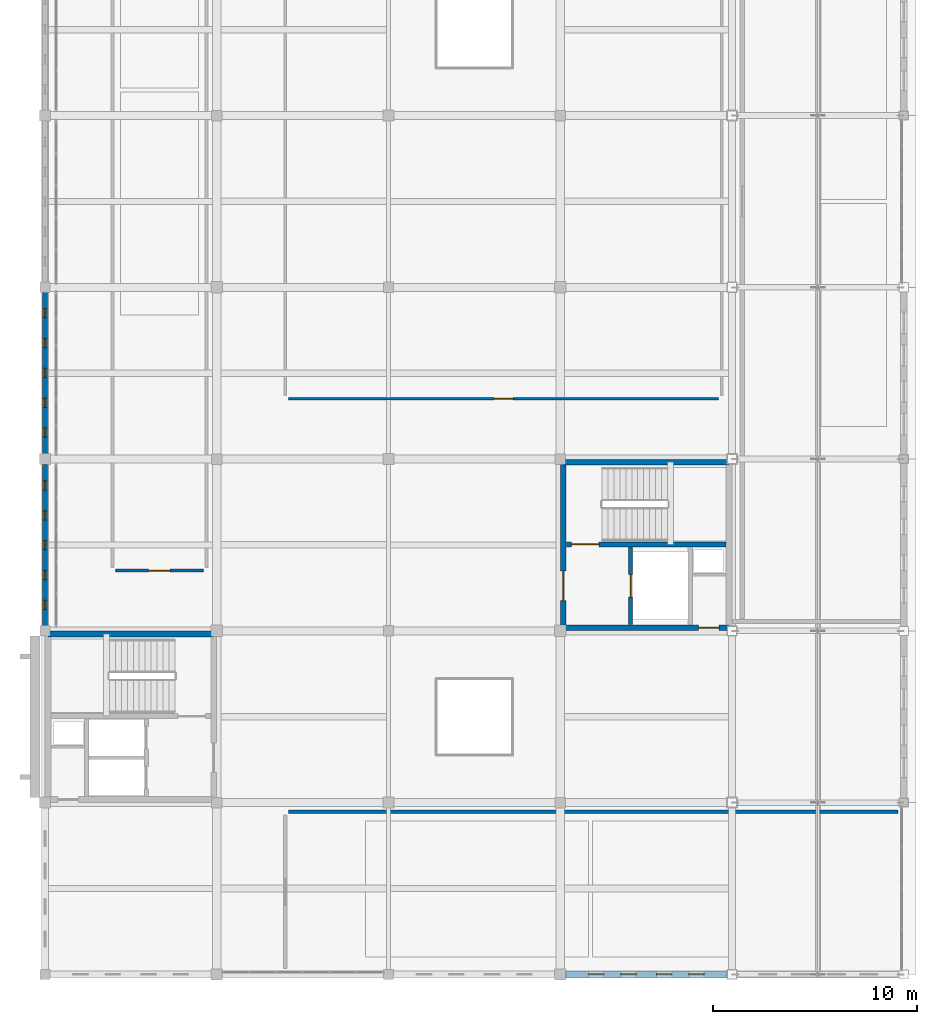
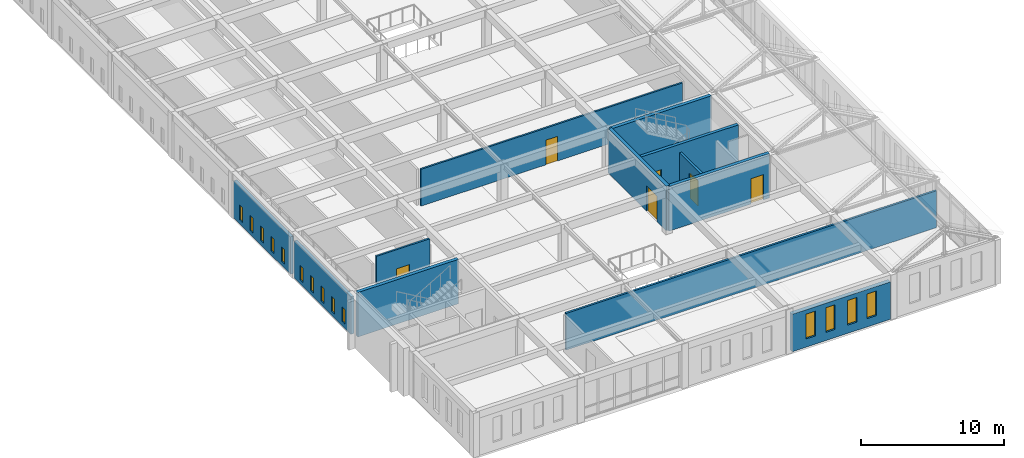
# One storey, part 28 of 36: 14 windows, 12 walls, 6 doors, 20 openings.
"""IFC4 building model written with IfcOpenShell, lengths in metres."""

from ifc_helpers import new_model, si_unit, direction, frame, frame_2d, origin, place, context, subcontext, project, spatial, rectangle, extrude, material, layer, layer_set, type_object, element, fill, save


model = new_model("IFC4")

# Units and contexts
model_context = context("Model", 3, precision=1e-05, world=origin(), true_north=direction((0.0, 1.0)))
body_context = subcontext(model_context, "Body", "Model", "MODEL_VIEW")
ifc_project = project(units=[si_unit("LENGTHUNIT", "METRE"), si_unit("AREAUNIT", "SQUARE_METRE"), si_unit("VOLUMEUNIT", "CUBIC_METRE"), si_unit("PLANEANGLEUNIT", "RADIAN"), si_unit("MASSUNIT", "GRAM", prefix="KILO")], contexts=[model_context])

# Site, building, storey
site_placement = place(None, origin())
site = spatial("IfcSite", under=ifc_project, at=site_placement, CompositionType="ELEMENT")
building_placement = place(site_placement, origin())
building = spatial("IfcBuilding", under=site, at=building_placement, Name="Kveldsbrygga Polytechnic", CompositionType="ELEMENT")
storey_placement = place(building_placement, frame((0.0, 0.0, 22.10009765625)))
storey = spatial("IfcBuildingStorey", under=building, at=storey_placement, Name="L05", CompositionType="ELEMENT", Elevation=22.10009765625)

# Wall, openings, windows
ifc_material_1 = material(Name="Fired clay brick masonry M10", Category="masonry")
ifc_layer_1 = layer(ifc_material_1, 0.340087890625)
ifc_layer_set_1 = layer_set([ifc_layer_1], Name="Fired clay brick masonry M10")
wall_type_1 = type_object("IfcWallType", Name="EW-BRICK-340", PredefinedType="SOLIDWALL", material=ifc_layer_set_1)
wall_1_placement = place(storey_placement, frame((151.4599609375, 16.800048828125, 0.0), z_axis=(0.0, 0.0, 1.0), x_axis=(1.0, 0.0, 0.0)))
wall_1 = element("IfcWall", 1, at=wall_1_placement, inside=storey, type_object=wall_type_1, Name="Exterior Brick Wall EW-L05-X-18-02", PredefinedType="SOLIDWALL", context=body_context, shape_type="SweptSolid", body=[
    extrude(rectangle(XDim=7.905029296875, YDim=0.340087890625, at=frame_2d((3.95263671875, 0.0))), origin(), (0.0, 0.0, 1.0), 3.179931640625),
])
opening_1_placement = place(wall_1_placement, frame((1.126953125, 0.0, 0.699951171875)))
opening_1 = element("IfcOpeningElement", 2, at=opening_1_placement, cuts=wall_1, Name="Opening W-27", PredefinedType="OPENING", context=body_context, shape_type="SweptSolid", body=[
    extrude(rectangle(XDim=0.75, YDim=2.10009765625, at=frame_2d((0.375, 1.050048828125))), frame((0.0, 0.18017578125, 0.0), z_axis=(0.0, -1.0, 0.0), x_axis=(1.0, 0.0, 0.0)), (0.0, 0.0, 1.0), 0.360107421875),
])
opening_2_placement = place(wall_1_placement, frame((2.7080078125, 0.0, 0.699951171875)))
opening_2 = element("IfcOpeningElement", 3, at=opening_2_placement, cuts=wall_1, Name="Opening W-27", PredefinedType="OPENING", context=body_context, shape_type="SweptSolid", body=[
    extrude(rectangle(XDim=0.75, YDim=2.10009765625, at=frame_2d((0.375, 1.050048828125))), frame((0.0, 0.18017578125, 0.0), z_axis=(0.0, -1.0, 0.0), x_axis=(1.0, 0.0, 0.0)), (0.0, 0.0, 1.0), 0.360107421875),
])
opening_3_placement = place(wall_1_placement, frame((4.447021484375, 0.0, 0.699951171875)))
opening_3 = element("IfcOpeningElement", 4, at=opening_3_placement, cuts=wall_1, Name="Opening W-27", PredefinedType="OPENING", context=body_context, shape_type="SweptSolid", body=[
    extrude(rectangle(XDim=0.75, YDim=2.10009765625, at=frame_2d((0.375, 1.050048828125))), frame((0.0, 0.18017578125, 0.0), z_axis=(0.0, -1.0, 0.0), x_axis=(1.0, 0.0, 0.0)), (0.0, 0.0, 1.0), 0.360107421875),
])
opening_4_placement = place(wall_1_placement, frame((6.028076171875, 0.0, 0.699951171875)))
opening_4 = element("IfcOpeningElement", 5, at=opening_4_placement, cuts=wall_1, Name="Opening W-27", PredefinedType="OPENING", context=body_context, shape_type="SweptSolid", body=[
    extrude(rectangle(XDim=0.75, YDim=2.10009765625, at=frame_2d((0.375, 1.050048828125))), frame((0.0, 0.18017578125, 0.0), z_axis=(0.0, -1.0, 0.0), x_axis=(1.0, 0.0, 0.0)), (0.0, 0.0, 1.0), 0.360107421875),
])
ifc_material_2 = material(Name="Insulated triple low-E glass", Category="glass")
window_type_1 = type_object("IfcWindowType", Name="WN-ATTIC-075x210", PartitioningType="DOUBLE_PANEL_VERTICAL", PredefinedType="WINDOW", material=ifc_material_2)
window_1_placement = place(opening_1_placement, origin())
window_1 = element("IfcWindow", 6, at=window_1_placement, inside=storey, type_object=window_type_1, Name="Gothic Lancet Window WIN-L05-X-18-02-1", OverallHeight=2.10009765625, OverallWidth=0.75, PartitioningType="DOUBLE_PANEL_VERTICAL", PredefinedType="WINDOW", context=body_context, shape_type="SweptSolid", body=[
    extrude(rectangle(XDim=0.75, YDim=2.10009765625, at=frame_2d((0.375, 1.050048828125))), frame((0.0, 0.030029296875, 0.0), z_axis=(0.0, -1.0, 0.0), x_axis=(1.0, 0.0, 0.0)), (0.0, 0.0, 1.0), 0.06005859375),
])
fill(opening_1, window_1)
window_2_placement = place(opening_2_placement, origin())
window_2 = element("IfcWindow", 7, at=window_2_placement, inside=storey, type_object=window_type_1, Name="Gothic Lancet Window WIN-L05-X-18-02-2", OverallHeight=2.10009765625, OverallWidth=0.75, PartitioningType="DOUBLE_PANEL_VERTICAL", PredefinedType="WINDOW", context=body_context, shape_type="SweptSolid", body=[
    extrude(rectangle(XDim=0.75, YDim=2.10009765625, at=frame_2d((0.375, 1.050048828125))), frame((0.0, 0.030029296875, 0.0), z_axis=(0.0, -1.0, 0.0), x_axis=(1.0, 0.0, 0.0)), (0.0, 0.0, 1.0), 0.06005859375),
])
fill(opening_2, window_2)
window_3_placement = place(opening_3_placement, origin())
window_3 = element("IfcWindow", 8, at=window_3_placement, inside=storey, type_object=window_type_1, Name="Gothic Lancet Window WIN-L05-X-18-02-3", OverallHeight=2.10009765625, OverallWidth=0.75, PartitioningType="DOUBLE_PANEL_VERTICAL", PredefinedType="WINDOW", context=body_context, shape_type="SweptSolid", body=[
    extrude(rectangle(XDim=0.75, YDim=2.10009765625, at=frame_2d((0.375, 1.050048828125))), frame((0.0, 0.030029296875, 0.0), z_axis=(0.0, -1.0, 0.0), x_axis=(1.0, 0.0, 0.0)), (0.0, 0.0, 1.0), 0.06005859375),
])
fill(opening_3, window_3)
window_4_placement = place(opening_4_placement, origin())
window_4 = element("IfcWindow", 9, at=window_4_placement, inside=storey, type_object=window_type_1, Name="Gothic Lancet Window WIN-L05-X-18-02-4", OverallHeight=2.10009765625, OverallWidth=0.75, PartitioningType="DOUBLE_PANEL_VERTICAL", PredefinedType="WINDOW", context=body_context, shape_type="SweptSolid", body=[
    extrude(rectangle(XDim=0.75, YDim=2.10009765625, at=frame_2d((0.375, 1.050048828125))), frame((0.0, 0.030029296875, 0.0), z_axis=(0.0, -1.0, 0.0), x_axis=(1.0, 0.0, 0.0)), (0.0, 0.0, 1.0), 0.06005859375),
])
fill(opening_4, window_4)

ifc_layer_2 = layer(ifc_material_1, 0.239990234375)
ifc_layer_set_2 = layer_set([ifc_layer_2], Name="Fired clay brick masonry M10")
wall_type_2 = type_object("IfcWallType", Name="EW-SCRN-240", PredefinedType="SOLIDWALL", material=ifc_layer_set_2)
wall_2_placement = place(storey_placement, frame((126.0, 33.8349609375, 0.0), z_axis=(0.0, 0.0, 1.0), x_axis=(0.0, 1.0, 0.0)))
wall_2 = element("IfcWall", 10, at=wall_2_placement, inside=storey, type_object=wall_type_2, Name="Perforated Brick Corridor Screen Wall SCRW-L05-Y-15-04", PredefinedType="SOLIDWALL", context=body_context, shape_type="SweptSolid", body=[
    extrude(rectangle(XDim=7.905029296875, YDim=0.239990234375, at=frame_2d((3.95263671875, 0.0))), origin(), (0.0, 0.0, 1.0), 3.179931640625),
])
opening_5_placement = place(wall_2_placement, frame((0.810546875, 0.0, 0.35009765625)))
opening_5 = element("IfcOpeningElement", 11, at=opening_5_placement, cuts=wall_2, Name="Opening W-48", PredefinedType="OPENING", context=body_context, shape_type="SweptSolid", body=[
    extrude(rectangle(XDim=0.43994140625, YDim=1.25, at=frame_2d((0.219970703125, 0.625))), frame((0.0, 0.1298828125, 0.0), z_axis=(0.0, -1.0, 0.0), x_axis=(1.0, 0.0, 0.0)), (0.0, 0.0, 1.0), 0.260009765625),
])
opening_6_placement = place(wall_2_placement, frame((2.271484375, 0.0, 0.35009765625)))
opening_6 = element("IfcOpeningElement", 12, at=opening_6_placement, cuts=wall_2, Name="Opening W-48", PredefinedType="OPENING", context=body_context, shape_type="SweptSolid", body=[
    extrude(rectangle(XDim=0.43994140625, YDim=1.25, at=frame_2d((0.219970703125, 0.625))), frame((0.0, 0.1298828125, 0.0), z_axis=(0.0, -1.0, 0.0), x_axis=(1.0, 0.0, 0.0)), (0.0, 0.0, 1.0), 0.260009765625),
])
opening_7_placement = place(wall_2_placement, frame((3.732421875, 0.0, 0.35009765625)))
opening_7 = element("IfcOpeningElement", 13, at=opening_7_placement, cuts=wall_2, Name="Opening W-48", PredefinedType="OPENING", context=body_context, shape_type="SweptSolid", body=[
    extrude(rectangle(XDim=0.43994140625, YDim=1.25, at=frame_2d((0.219970703125, 0.625))), frame((0.0, 0.1298828125, 0.0), z_axis=(0.0, -1.0, 0.0), x_axis=(1.0, 0.0, 0.0)), (0.0, 0.0, 1.0), 0.260009765625),
])
opening_8_placement = place(wall_2_placement, frame((5.193603515625, 0.0, 0.35009765625)))
opening_8 = element("IfcOpeningElement", 14, at=opening_8_placement, cuts=wall_2, Name="Opening W-48", PredefinedType="OPENING", context=body_context, shape_type="SweptSolid", body=[
    extrude(rectangle(XDim=0.43994140625, YDim=1.25, at=frame_2d((0.219970703125, 0.625))), frame((0.0, 0.1298828125, 0.0), z_axis=(0.0, -1.0, 0.0), x_axis=(1.0, 0.0, 0.0)), (0.0, 0.0, 1.0), 0.260009765625),
])
opening_9_placement = place(wall_2_placement, frame((6.654541015625, 0.0, 0.35009765625)))
opening_9 = element("IfcOpeningElement", 15, at=opening_9_placement, cuts=wall_2, Name="Opening W-48", PredefinedType="OPENING", context=body_context, shape_type="SweptSolid", body=[
    extrude(rectangle(XDim=0.43994140625, YDim=1.25, at=frame_2d((0.219970703125, 0.625))), frame((0.0, 0.1298828125, 0.0), z_axis=(0.0, -1.0, 0.0), x_axis=(1.0, 0.0, 0.0)), (0.0, 0.0, 1.0), 0.260009765625),
])
window_type_2 = type_object("IfcWindowType", Name="WN-SCRN-044x125", PartitioningType="SINGLE_PANEL", PredefinedType="WINDOW", material=ifc_material_2)
window_5_placement = place(opening_5_placement, origin())
window_5 = element("IfcWindow", 16, at=window_5_placement, inside=storey, type_object=window_type_2, Name="Perforated Screen Aperture L05-Y-15-04-1", OverallHeight=1.25, OverallWidth=0.43994140625, PartitioningType="SINGLE_PANEL", PredefinedType="WINDOW", context=body_context, shape_type="SweptSolid", body=[
    extrude(rectangle(XDim=0.43994140625, YDim=1.25, at=frame_2d((0.219970703125, 0.625))), frame((0.0, 0.030029296875, 0.0), z_axis=(0.0, -1.0, 0.0), x_axis=(1.0, 0.0, 0.0)), (0.0, 0.0, 1.0), 0.06005859375),
])
fill(opening_5, window_5)
window_6_placement = place(opening_6_placement, origin())
window_6 = element("IfcWindow", 17, at=window_6_placement, inside=storey, type_object=window_type_2, Name="Perforated Screen Aperture L05-Y-15-04-2", OverallHeight=1.25, OverallWidth=0.43994140625, PartitioningType="SINGLE_PANEL", PredefinedType="WINDOW", context=body_context, shape_type="SweptSolid", body=[
    extrude(rectangle(XDim=0.43994140625, YDim=1.25, at=frame_2d((0.219970703125, 0.625))), frame((0.0, 0.030029296875, 0.0), z_axis=(0.0, -1.0, 0.0), x_axis=(1.0, 0.0, 0.0)), (0.0, 0.0, 1.0), 0.06005859375),
])
fill(opening_6, window_6)
window_7_placement = place(opening_7_placement, origin())
window_7 = element("IfcWindow", 18, at=window_7_placement, inside=storey, type_object=window_type_2, Name="Perforated Screen Aperture L05-Y-15-04-3", OverallHeight=1.25, OverallWidth=0.43994140625, PartitioningType="SINGLE_PANEL", PredefinedType="WINDOW", context=body_context, shape_type="SweptSolid", body=[
    extrude(rectangle(XDim=0.43994140625, YDim=1.25, at=frame_2d((0.219970703125, 0.625))), frame((0.0, 0.030029296875, 0.0), z_axis=(0.0, -1.0, 0.0), x_axis=(1.0, 0.0, 0.0)), (0.0, 0.0, 1.0), 0.06005859375),
])
fill(opening_7, window_7)
window_8_placement = place(opening_8_placement, origin())
window_8 = element("IfcWindow", 19, at=window_8_placement, inside=storey, type_object=window_type_2, Name="Perforated Screen Aperture L05-Y-15-04-4", OverallHeight=1.25, OverallWidth=0.43994140625, PartitioningType="SINGLE_PANEL", PredefinedType="WINDOW", context=body_context, shape_type="SweptSolid", body=[
    extrude(rectangle(XDim=0.43994140625, YDim=1.25, at=frame_2d((0.219970703125, 0.625))), frame((0.0, 0.030029296875, 0.0), z_axis=(0.0, -1.0, 0.0), x_axis=(1.0, 0.0, 0.0)), (0.0, 0.0, 1.0), 0.06005859375),
])
fill(opening_8, window_8)
window_9_placement = place(opening_9_placement, origin())
window_9 = element("IfcWindow", 20, at=window_9_placement, inside=storey, type_object=window_type_2, Name="Perforated Screen Aperture L05-Y-15-04-5", OverallHeight=1.25, OverallWidth=0.43994140625, PartitioningType="SINGLE_PANEL", PredefinedType="WINDOW", context=body_context, shape_type="SweptSolid", body=[
    extrude(rectangle(XDim=0.43994140625, YDim=1.25, at=frame_2d((0.219970703125, 0.625))), frame((0.0, 0.030029296875, 0.0), z_axis=(0.0, -1.0, 0.0), x_axis=(1.0, 0.0, 0.0)), (0.0, 0.0, 1.0), 0.06005859375),
])
fill(opening_9, window_9)

wall_3_placement = place(storey_placement, frame((126.0, 42.260009765625, 0.0), z_axis=(0.0, 0.0, 1.0), x_axis=(0.0, 1.0, 0.0)))
wall_3 = element("IfcWall", 21, at=wall_3_placement, inside=storey, type_object=wall_type_2, Name="Perforated Brick Corridor Screen Wall SCRW-L05-Y-15-05", PredefinedType="SOLIDWALL", context=body_context, shape_type="SweptSolid", body=[
    extrude(rectangle(XDim=7.905029296875, YDim=0.239990234375, at=frame_2d((3.95263671875, 0.0))), origin(), (0.0, 0.0, 1.0), 3.179931640625),
])
opening_10_placement = place(wall_3_placement, frame((0.810546875, 0.0, 0.35009765625)))
opening_10 = element("IfcOpeningElement", 22, at=opening_10_placement, cuts=wall_3, Name="Opening W-48", PredefinedType="OPENING", context=body_context, shape_type="SweptSolid", body=[
    extrude(rectangle(XDim=0.43994140625, YDim=1.25, at=frame_2d((0.219970703125, 0.625))), frame((0.0, 0.1298828125, 0.0), z_axis=(0.0, -1.0, 0.0), x_axis=(1.0, 0.0, 0.0)), (0.0, 0.0, 1.0), 0.260009765625),
])
opening_11_placement = place(wall_3_placement, frame((2.271484375, 0.0, 0.35009765625)))
opening_11 = element("IfcOpeningElement", 23, at=opening_11_placement, cuts=wall_3, Name="Opening W-48", PredefinedType="OPENING", context=body_context, shape_type="SweptSolid", body=[
    extrude(rectangle(XDim=0.43994140625, YDim=1.25, at=frame_2d((0.219970703125, 0.625))), frame((0.0, 0.1298828125, 0.0), z_axis=(0.0, -1.0, 0.0), x_axis=(1.0, 0.0, 0.0)), (0.0, 0.0, 1.0), 0.260009765625),
])
opening_12_placement = place(wall_3_placement, frame((3.732421875, 0.0, 0.35009765625)))
opening_12 = element("IfcOpeningElement", 24, at=opening_12_placement, cuts=wall_3, Name="Opening W-48", PredefinedType="OPENING", context=body_context, shape_type="SweptSolid", body=[
    extrude(rectangle(XDim=0.43994140625, YDim=1.25, at=frame_2d((0.219970703125, 0.625))), frame((0.0, 0.1298828125, 0.0), z_axis=(0.0, -1.0, 0.0), x_axis=(1.0, 0.0, 0.0)), (0.0, 0.0, 1.0), 0.260009765625),
])
opening_13_placement = place(wall_3_placement, frame((5.193603515625, 0.0, 0.35009765625)))
opening_13 = element("IfcOpeningElement", 25, at=opening_13_placement, cuts=wall_3, Name="Opening W-48", PredefinedType="OPENING", context=body_context, shape_type="SweptSolid", body=[
    extrude(rectangle(XDim=0.43994140625, YDim=1.25, at=frame_2d((0.219970703125, 0.625))), frame((0.0, 0.1298828125, 0.0), z_axis=(0.0, -1.0, 0.0), x_axis=(1.0, 0.0, 0.0)), (0.0, 0.0, 1.0), 0.260009765625),
])
opening_14_placement = place(wall_3_placement, frame((6.654541015625, 0.0, 0.35009765625)))
opening_14 = element("IfcOpeningElement", 26, at=opening_14_placement, cuts=wall_3, Name="Opening W-48", PredefinedType="OPENING", context=body_context, shape_type="SweptSolid", body=[
    extrude(rectangle(XDim=0.43994140625, YDim=1.25, at=frame_2d((0.219970703125, 0.625))), frame((0.0, 0.1298828125, 0.0), z_axis=(0.0, -1.0, 0.0), x_axis=(1.0, 0.0, 0.0)), (0.0, 0.0, 1.0), 0.260009765625),
])
window_10_placement = place(opening_10_placement, origin())
window_10 = element("IfcWindow", 27, at=window_10_placement, inside=storey, type_object=window_type_2, Name="Perforated Screen Aperture L05-Y-15-05-1", OverallHeight=1.25, OverallWidth=0.43994140625, PartitioningType="SINGLE_PANEL", PredefinedType="WINDOW", context=body_context, shape_type="SweptSolid", body=[
    extrude(rectangle(XDim=0.43994140625, YDim=1.25, at=frame_2d((0.219970703125, 0.625))), frame((0.0, 0.030029296875, 0.0), z_axis=(0.0, -1.0, 0.0), x_axis=(1.0, 0.0, 0.0)), (0.0, 0.0, 1.0), 0.06005859375),
])
fill(opening_10, window_10)
window_11_placement = place(opening_11_placement, origin())
window_11 = element("IfcWindow", 28, at=window_11_placement, inside=storey, type_object=window_type_2, Name="Perforated Screen Aperture L05-Y-15-05-2", OverallHeight=1.25, OverallWidth=0.43994140625, PartitioningType="SINGLE_PANEL", PredefinedType="WINDOW", context=body_context, shape_type="SweptSolid", body=[
    extrude(rectangle(XDim=0.43994140625, YDim=1.25, at=frame_2d((0.219970703125, 0.625))), frame((0.0, 0.030029296875, 0.0), z_axis=(0.0, -1.0, 0.0), x_axis=(1.0, 0.0, 0.0)), (0.0, 0.0, 1.0), 0.06005859375),
])
fill(opening_11, window_11)
window_12_placement = place(opening_12_placement, origin())
window_12 = element("IfcWindow", 29, at=window_12_placement, inside=storey, type_object=window_type_2, Name="Perforated Screen Aperture L05-Y-15-05-3", OverallHeight=1.25, OverallWidth=0.43994140625, PartitioningType="SINGLE_PANEL", PredefinedType="WINDOW", context=body_context, shape_type="SweptSolid", body=[
    extrude(rectangle(XDim=0.43994140625, YDim=1.25, at=frame_2d((0.219970703125, 0.625))), frame((0.0, 0.030029296875, 0.0), z_axis=(0.0, -1.0, 0.0), x_axis=(1.0, 0.0, 0.0)), (0.0, 0.0, 1.0), 0.06005859375),
])
fill(opening_12, window_12)
window_13_placement = place(opening_13_placement, origin())
window_13 = element("IfcWindow", 30, at=window_13_placement, inside=storey, type_object=window_type_2, Name="Perforated Screen Aperture L05-Y-15-05-4", OverallHeight=1.25, OverallWidth=0.43994140625, PartitioningType="SINGLE_PANEL", PredefinedType="WINDOW", context=body_context, shape_type="SweptSolid", body=[
    extrude(rectangle(XDim=0.43994140625, YDim=1.25, at=frame_2d((0.219970703125, 0.625))), frame((0.0, 0.030029296875, 0.0), z_axis=(0.0, -1.0, 0.0), x_axis=(1.0, 0.0, 0.0)), (0.0, 0.0, 1.0), 0.06005859375),
])
fill(opening_13, window_13)
window_14_placement = place(opening_14_placement, origin())
window_14 = element("IfcWindow", 31, at=window_14_placement, inside=storey, type_object=window_type_2, Name="Perforated Screen Aperture L05-Y-15-05-5", OverallHeight=1.25, OverallWidth=0.43994140625, PartitioningType="SINGLE_PANEL", PredefinedType="WINDOW", context=body_context, shape_type="SweptSolid", body=[
    extrude(rectangle(XDim=0.43994140625, YDim=1.25, at=frame_2d((0.219970703125, 0.625))), frame((0.0, 0.030029296875, 0.0), z_axis=(0.0, -1.0, 0.0), x_axis=(1.0, 0.0, 0.0)), (0.0, 0.0, 1.0), 0.06005859375),
])
fill(opening_14, window_14)

# Wall, opening, door
ifc_material_3 = material(Name="Gypsum acoustic stud partition")
ifc_layer_3 = layer(ifc_material_3, 0.139892578125)
ifc_layer_set_3 = layer_set([ifc_layer_3], Name="Gypsum acoustic stud partition")
wall_type_3 = type_object("IfcWallType", Name="IW-OFF-140", PredefinedType="PARTITIONING", material=ifc_layer_set_3)
wall_4_placement = place(storey_placement, frame((137.89990234375, 44.949951171875, 0.0), z_axis=(0.0, 0.0, 1.0), x_axis=(1.0, 0.0, 0.0)))
wall_4 = element("IfcWall", 32, at=wall_4_placement, inside=storey, type_object=wall_type_3, Name="Partition Wall IW-SP-L05-OFF51-S1", PredefinedType="PARTITIONING", context=body_context, shape_type="SweptSolid", body=[
    extrude(rectangle(XDim=21.050048828125, YDim=0.139892578125, at=frame_2d((10.52490234375, 0.0))), origin(), (0.0, 0.0, 1.0), 3.1298828125),
])
opening_15_placement = place(wall_4_placement, frame((10.050048828125, 0.0, 0.0)))
opening_15 = element("IfcOpeningElement", 33, at=opening_15_placement, cuts=wall_4, Name="Opening ID-L05-096", PredefinedType="OPENING", context=body_context, shape_type="SweptSolid", body=[
    extrude(rectangle(XDim=0.949951171875, YDim=2.10009765625, at=frame_2d((0.47509765625, 1.050048828125))), frame((0.0, 0.080078125, 0.0), z_axis=(0.0, -1.0, 0.0), x_axis=(1.0, 0.0, 0.0)), (0.0, 0.0, 1.0), 0.159912109375),
])
ifc_material_4 = material(Name="Acoustic oak timber", Category="wood")
door_type_1 = type_object("IfcDoorType", Name="ID-OFF-095x210", OperationType="NOTDEFINED", PredefinedType="DOOR", material=ifc_material_4)
door_1_placement = place(opening_15_placement, origin())
door_1 = element("IfcDoor", 34, at=door_1_placement, inside=storey, type_object=door_type_1, Name="Interior Door ID-L05-096", OperationType="SINGLE_SWING_LEFT", OverallHeight=2.10009765625, OverallWidth=0.949951171875, PredefinedType="DOOR", context=body_context, shape_type="SweptSolid", body=[
    extrude(rectangle(XDim=0.949951171875, YDim=2.10009765625, at=frame_2d((0.47509765625, 1.050048828125))), frame((0.0, 0.02490234375, 0.0), z_axis=(0.0, -1.0, 0.0), x_axis=(1.0, 0.0, 0.0)), (0.0, 0.0, 1.0), 0.050048828125),
])
fill(opening_15, door_1)

ifc_layer_4 = layer(ifc_material_3, 0.14990234375)
ifc_layer_set_4 = layer_set([ifc_layer_4], Name="Gypsum acoustic stud partition")
wall_type_4 = type_object("IfcWallType", Name="IW-SEM-150", PredefinedType="PARTITIONING", material=ifc_layer_set_4)
wall_5_placement = place(storey_placement, frame((129.449951171875, 36.550048828125, 0.0), z_axis=(0.0, 0.0, 1.0), x_axis=(1.0, 0.0, 0.0)))
wall_5 = element("IfcWall", 35, at=wall_5_placement, inside=storey, type_object=wall_type_4, Name="Partition Wall IW-SP-L05-SEM51-S1", PredefinedType="PARTITIONING", context=body_context, shape_type="SweptSolid", body=[
    extrude(rectangle(XDim=4.300048828125, YDim=0.14990234375, at=frame_2d((2.14990234375, 0.0))), origin(), (0.0, 0.0, 1.0), 3.77978515625),
])
opening_16_placement = place(wall_5_placement, frame((1.625, 0.0, 0.0)))
opening_16 = element("IfcOpeningElement", 36, at=opening_16_placement, cuts=wall_5, Name="Opening ID-L05-095", PredefinedType="OPENING", context=body_context, shape_type="SweptSolid", body=[
    extrude(rectangle(XDim=1.050048828125, YDim=2.14990234375, at=frame_2d((0.52490234375, 1.074951171875))), frame((0.0, 0.0849609375, 0.0), z_axis=(0.0, -1.0, 0.0), x_axis=(1.0, 0.0, 0.0)), (0.0, 0.0, 1.0), 0.169921875),
])
door_type_2 = type_object("IfcDoorType", Name="ID-SEM-105x215", OperationType="NOTDEFINED", PredefinedType="DOOR", material=ifc_material_4)
door_2_placement = place(opening_16_placement, origin())
door_2 = element("IfcDoor", 37, at=door_2_placement, inside=storey, type_object=door_type_2, Name="Interior Door ID-L05-095", OperationType="SINGLE_SWING_RIGHT", OverallHeight=2.14990234375, OverallWidth=1.050048828125, PredefinedType="DOOR", context=body_context, shape_type="SweptSolid", body=[
    extrude(rectangle(XDim=1.050048828125, YDim=2.14990234375, at=frame_2d((0.52490234375, 1.074951171875))), frame((0.0, 0.02490234375, 0.0), z_axis=(0.0, -1.0, 0.0), x_axis=(1.0, 0.0, 0.0)), (0.0, 0.0, 1.0), 0.050048828125),
])
fill(opening_16, door_2)

# Wall
ifc_layer_5 = layer(ifc_material_3, 0.159912109375)
ifc_layer_set_5 = layer_set([ifc_layer_5], Name="Gypsum acoustic stud partition")
wall_type_5 = type_object("IfcWallType", Name="IW-STD-160", PredefinedType="PARTITIONING", material=ifc_layer_set_5)
wall_6_placement = place(storey_placement, frame((137.89990234375, 24.75, 0.0), z_axis=(0.0, 0.0, 1.0), x_axis=(1.0, 0.0, 0.0)))
element("IfcWall", 38, at=wall_6_placement, inside=storey, type_object=wall_type_5, Name="Partition Wall IW-SP-L05-STD51-N1", PredefinedType="PARTITIONING", context=body_context, shape_type="SweptSolid", body=[
    extrude(rectangle(XDim=29.820068359375, YDim=0.159912109375, at=frame_2d((14.91015625, 0.0))), origin(), (0.0, 0.0, 1.0), 3.1298828125),
])

# Wall, opening, door
ifc_material_5 = material(Name="Concrete C45/55", Category="concrete")
ifc_layer_6 = layer(ifc_material_5, 0.25)
ifc_layer_set_6 = layer_set([ifc_layer_6], Name="Concrete C45/55")
wall_type_6 = type_object("IfcWallType", Name="WL-CORE-250", PredefinedType="SHEAR", material=ifc_layer_set_6)
wall_7_placement = place(storey_placement, frame((151.5, 37.830078125, 0.0), z_axis=(0.0, 0.0, 1.0), x_axis=(1.0, 0.0, 0.0)))
wall_7 = element("IfcWall", 39, at=wall_7_placement, inside=storey, type_object=wall_type_6, Name="Core C3 Shear Wall C3-L05-W-DIV", PredefinedType="SHEAR", context=body_context, shape_type="SweptSolid", body=[
    extrude(rectangle(XDim=7.800048828125, YDim=0.25, at=frame_2d((3.89990234375, 0.0))), origin(), (0.0, 0.0, 1.0), 3.77978515625),
])
opening_17_placement = place(wall_7_placement, frame((0.25, 0.0, 0.0)))
opening_17 = element("IfcOpeningElement", 40, at=opening_17_placement, cuts=wall_7, Name="Opening FD-C3-L05-ST", PredefinedType="OPENING", context=body_context, shape_type="SweptSolid", body=[
    extrude(rectangle(XDim=1.35009765625, YDim=2.14990234375, at=frame_2d((0.675048828125, 1.074951171875))), frame((0.0, 0.135009765625, 0.0), z_axis=(0.0, -1.0, 0.0), x_axis=(1.0, 0.0, 0.0)), (0.0, 0.0, 1.0), 0.27001953125),
])
ifc_material_6 = material(Name="Powder-coated galvanised steel", Category="steel")
door_type_3 = type_object("IfcDoorType", Name="ID-STAIR-135x215", OperationType="NOTDEFINED", PredefinedType="DOOR", material=ifc_material_6)
door_3_placement = place(opening_17_placement, origin())
door_3 = element("IfcDoor", 41, at=door_3_placement, inside=storey, type_object=door_type_3, Name="Stair Fire Door FD-C3-L05-ST", OperationType="SINGLE_SWING_LEFT", OverallHeight=2.14990234375, OverallWidth=1.35009765625, PredefinedType="DOOR", context=body_context, shape_type="SweptSolid", body=[
    extrude(rectangle(XDim=1.35009765625, YDim=2.14990234375, at=frame_2d((0.675048828125, 1.074951171875))), frame((0.0, 0.02490234375, 0.0), z_axis=(0.0, -1.0, 0.0), x_axis=(1.0, 0.0, 0.0)), (0.0, 0.0, 1.0), 0.050048828125),
])
fill(opening_17, door_3)

# Wall
ifc_layer_7 = layer(ifc_material_5, 0.280029296875)
ifc_layer_set_7 = layer_set([ifc_layer_7], Name="Concrete C45/55")
wall_type_7 = type_object("IfcWallType", Name="WL-CORE-280", PredefinedType="SHEAR", material=ifc_layer_set_7)
wall_8_placement = place(storey_placement, frame((126.14990234375, 33.449951171875, 0.0), z_axis=(0.0, 0.0, 1.0), x_axis=(1.0, 0.0, 0.0)))
element("IfcWall", 42, at=wall_8_placement, inside=storey, type_object=wall_type_7, Name="Core C1 Shear Wall C1-L05-SW-N", PredefinedType="SHEAR", context=body_context, shape_type="SweptSolid", body=[
    extrude(rectangle(XDim=8.10009765625, YDim=0.280029296875, at=frame_2d((4.050048828125, 0.0))), origin(), (0.0, 0.0, 1.0), 3.77978515625),
])

# Wall, opening, door
wall_9_placement = place(storey_placement, frame((151.35009765625, 33.75, 0.0), z_axis=(0.0, 0.0, 1.0), x_axis=(1.0, 0.0, 0.0)))
wall_9 = element("IfcWall", 43, at=wall_9_placement, inside=storey, type_object=wall_type_7, Name="Core C3 Shear Wall C3-L05-SW-S", PredefinedType="SHEAR", context=body_context, shape_type="SweptSolid", body=[
    extrude(rectangle(XDim=8.099853515625, YDim=0.280029296875, at=frame_2d((4.0498046875, 0.0))), origin(), (0.0, 0.0, 1.0), 3.77978515625),
])
opening_18_placement = place(wall_9_placement, frame((6.614990234375, 0.0, 0.0)))
opening_18 = element("IfcOpeningElement", 44, at=opening_18_placement, cuts=wall_9, Name="Opening ID-C3-L05-AWC", PredefinedType="OPENING", context=body_context, shape_type="SweptSolid", body=[
    extrude(rectangle(XDim=1.0, YDim=2.14990234375, at=frame_2d((0.5, 1.074951171875))), frame((0.0, 0.14990234375, 0.0), z_axis=(0.0, -1.0, 0.0), x_axis=(1.0, 0.0, 0.0)), (0.0, 0.0, 1.0), 0.300048828125),
])
door_type_4 = type_object("IfcDoorType", Name="ID-AWC-100x215", OperationType="NOTDEFINED", PredefinedType="DOOR", material=ifc_material_4)
door_4_placement = place(opening_18_placement, origin())
door_4 = element("IfcDoor", 45, at=door_4_placement, inside=storey, type_object=door_type_4, Name="Accessible WC Door ID-C3-L05-AWC", OperationType="SINGLE_SWING_RIGHT", OverallHeight=2.14990234375, OverallWidth=1.0, PredefinedType="DOOR", context=body_context, shape_type="SweptSolid", body=[
    extrude(rectangle(XDim=1.0, YDim=2.14990234375, at=frame_2d((0.5, 1.074951171875))), frame((0.0, 0.02490234375, 0.0), z_axis=(0.0, -1.0, 0.0), x_axis=(1.0, 0.0, 0.0)), (0.0, 0.0, 1.0), 0.050048828125),
])
fill(opening_18, door_4)

# Wall
wall_10_placement = place(storey_placement, frame((151.35009765625, 41.85009765625, 0.0), z_axis=(0.0, 0.0, 1.0), x_axis=(1.0, 0.0, 0.0)))
element("IfcWall", 46, at=wall_10_placement, inside=storey, type_object=wall_type_7, Name="Core C3 Shear Wall C3-L05-SW-N", PredefinedType="SHEAR", context=body_context, shape_type="SweptSolid", body=[
    extrude(rectangle(XDim=8.099853515625, YDim=0.280029296875, at=frame_2d((4.0498046875, 0.0))), origin(), (0.0, 0.0, 1.0), 3.77978515625),
])

# Wall, opening, door
wall_11_placement = place(storey_placement, frame((151.35009765625, 33.75, 0.0), z_axis=(0.0, 0.0, 1.0), x_axis=(0.0, 1.0, 0.0)))
wall_11 = element("IfcWall", 47, at=wall_11_placement, inside=storey, type_object=wall_type_7, Name="Core C3 Shear Wall C3-L05-SW-W", PredefinedType="SHEAR", context=body_context, shape_type="SweptSolid", body=[
    extrude(rectangle(XDim=8.10009765625, YDim=0.280029296875, at=frame_2d((4.050048828125, 0.0))), origin(), (0.0, 0.0, 1.0), 3.77978515625),
])
opening_19_placement = place(wall_11_placement, frame((1.324951171875, 0.0, 0.0)))
opening_19 = element("IfcOpeningElement", 48, at=opening_19_placement, cuts=wall_11, Name="Opening FD-C3-L05-LOB", PredefinedType="OPENING", context=body_context, shape_type="SweptSolid", body=[
    extrude(rectangle(XDim=1.449951171875, YDim=2.14990234375, at=frame_2d((0.72509765625, 1.074951171875))), frame((0.0, 0.14990234375, 0.0), z_axis=(0.0, -1.0, 0.0), x_axis=(1.0, 0.0, 0.0)), (0.0, 0.0, 1.0), 0.300048828125),
])
door_type_5 = type_object("IfcDoorType", Name="ID-LOBBY-145x215", OperationType="DOUBLE_DOOR_SINGLE_SWING", PredefinedType="DOOR", material=ifc_material_6)
door_5_placement = place(opening_19_placement, origin())
door_5 = element("IfcDoor", 49, at=door_5_placement, inside=storey, type_object=door_type_5, Name="Core Lobby Fire Door FD-C3-L05-LOB", OperationType="DOUBLE_DOOR_SINGLE_SWING", OverallHeight=2.14990234375, OverallWidth=1.449951171875, PredefinedType="DOOR", context=body_context, shape_type="SweptSolid", body=[
    extrude(rectangle(XDim=1.449951171875, YDim=2.14990234375, at=frame_2d((0.72509765625, 1.074951171875))), frame((0.0, 0.02490234375, 0.0), z_axis=(0.0, -1.0, 0.0), x_axis=(1.0, 0.0, 0.0)), (0.0, 0.0, 1.0), 0.050048828125),
])
fill(opening_19, door_5)

ifc_material_7 = material(Name="Concrete C35/45", Category="concrete")
ifc_layer_8 = layer(ifc_material_7, 0.199951171875)
ifc_layer_set_8 = layer_set([ifc_layer_8], Name="Concrete C35/45")
wall_type_8 = type_object("IfcWallType", Name="WL-SHFT-200", PredefinedType="SHEAR", material=ifc_layer_set_8)
wall_12_placement = place(storey_placement, frame((154.639892578125, 33.89990234375, 0.0), z_axis=(0.0, 0.0, 1.0), x_axis=(0.0, 1.0, 0.0)))
wall_12 = element("IfcWall", 50, at=wall_12_placement, inside=storey, type_object=wall_type_8, Name="Lift Front Wall C3-L05-W-LFR", PredefinedType="SHEAR", context=body_context, shape_type="SweptSolid", body=[
    extrude(rectangle(XDim=3.800048828125, YDim=0.199951171875, at=frame_2d((1.89990234375, 0.0))), origin(), (0.0, 0.0, 1.0), 3.079833984375),
])
opening_20_placement = place(wall_12_placement, frame((1.35009765625, 0.0, 0.0)))
opening_20 = element("IfcOpeningElement", 51, at=opening_20_placement, cuts=wall_12, Name="Opening LD-LP-3", PredefinedType="OPENING", context=body_context, shape_type="SweptSolid", body=[
    extrude(rectangle(XDim=1.10009765625, YDim=2.14990234375, at=frame_2d((0.550048828125, 1.074951171875))), frame((0.0, 0.10986328125, 0.0), z_axis=(0.0, -1.0, 0.0), x_axis=(1.0, 0.0, 0.0)), (0.0, 0.0, 1.0), 0.219970703125),
])
ifc_material_8 = material(Name="Brushed stainless steel EN 1.4401", Category="steel")
door_type_6 = type_object("IfcDoorType", Name="LD-PAX-110x215", OperationType="SLIDING_TO_LEFT", PredefinedType="DOOR", material=ifc_material_8)
door_6_placement = place(opening_20_placement, origin())
door_6 = element("IfcDoor", 52, at=door_6_placement, inside=storey, type_object=door_type_6, Name="Lift Landing Sliding Door LD-LP-3-L05", OperationType="SLIDING_TO_LEFT", OverallHeight=2.14990234375, OverallWidth=1.10009765625, PredefinedType="DOOR", context=body_context, shape_type="SweptSolid", body=[
    extrude(rectangle(XDim=1.10009765625, YDim=2.14990234375, at=frame_2d((0.550048828125, 1.074951171875))), frame((0.0, 0.02490234375, 0.0), z_axis=(0.0, -1.0, 0.0), x_axis=(1.0, 0.0, 0.0)), (0.0, 0.0, 1.0), 0.050048828125),
])
fill(opening_20, door_6)

save(model, "model.ifc")
